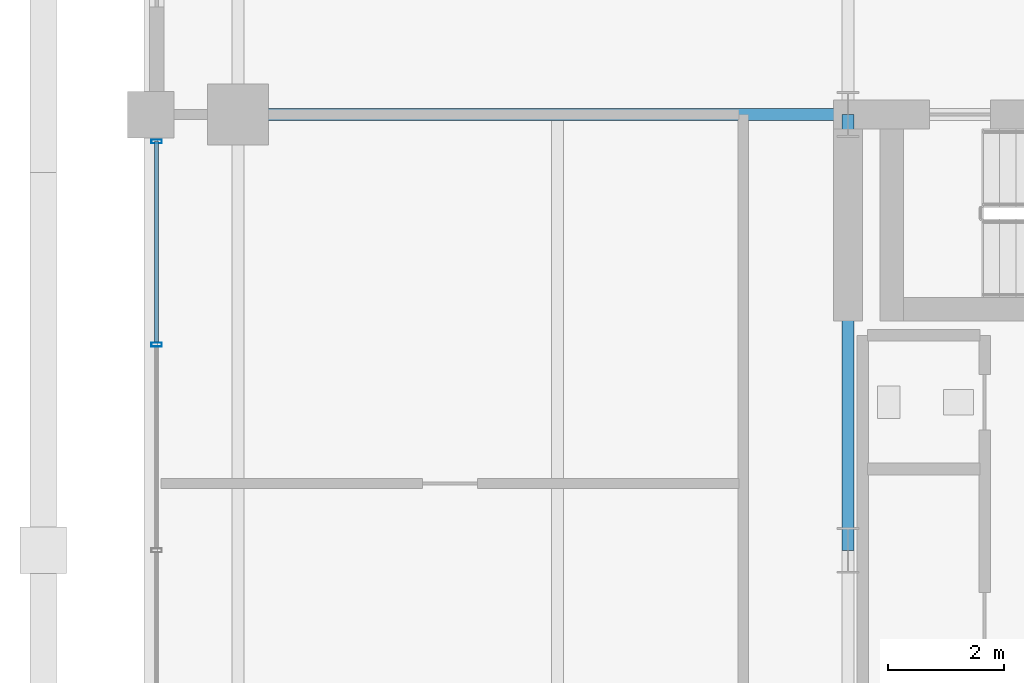
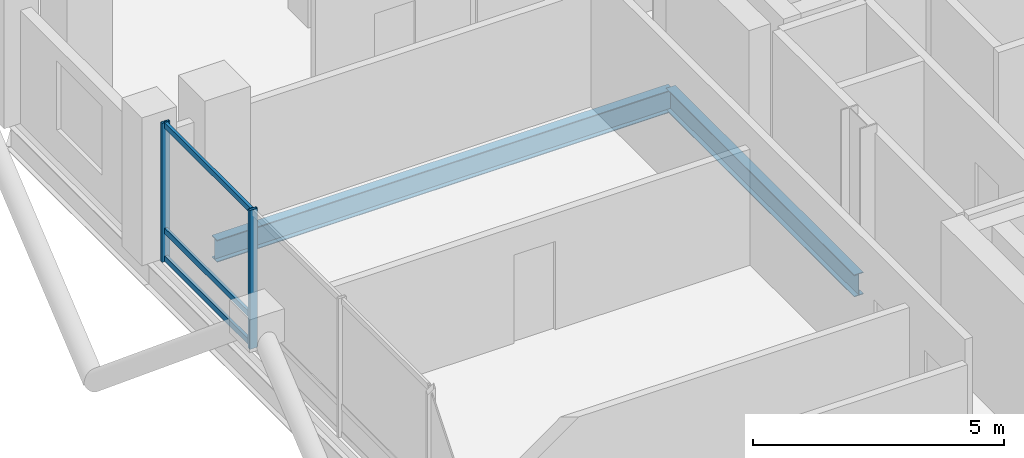
# One storey, part 8 of 23: 5 members, 2 beams, 1 element without a shape of its own.
"""IFC4 building model written with IfcOpenShell, lengths in metres."""

from ifc_helpers import new_model, si_unit, direction, frame, origin, origin_2d, place, context, subcontext, project, spatial, hollow_rectangle, i_section, extrude, material, layer, layer_set, material_profile, profile_set, type_object, element, aggregate, save


model = new_model("IFC4")

# Units and contexts
model_context = context("Model", 3, precision=1e-05, world=origin(), true_north=direction((0.0, 1.0)))
body_context = subcontext(model_context, "Body", "Model", "MODEL_VIEW")
ifc_project = project(units=[si_unit("LENGTHUNIT", "METRE"), si_unit("AREAUNIT", "SQUARE_METRE"), si_unit("VOLUMEUNIT", "CUBIC_METRE"), si_unit("PLANEANGLEUNIT", "RADIAN"), si_unit("MASSUNIT", "GRAM", prefix="KILO")], contexts=[model_context])

# Site, building, storey
site_placement = place(None, origin())
site = spatial("IfcSite", under=ifc_project, at=site_placement, CompositionType="ELEMENT")
building_placement = place(site_placement, origin())
building = spatial("IfcBuilding", under=site, at=building_placement, Name="Barlavira Tower and Art Museum", CompositionType="ELEMENT")
storey_placement = place(building_placement, frame((0.0, 0.0, 205.199951171875)))
storey = spatial("IfcBuildingStorey", under=building, at=storey_placement, Name="L53", CompositionType="ELEMENT", Elevation=205.199951171875)

# Curtain wall, members
ifc_material_1 = material(Name="Low-iron coastal laminated glass", Category="glass")
ifc_layer = layer(ifc_material_1, 0.199951171875, Name="Low-iron coastal laminated glass")
ifc_layer_set = layer_set([ifc_layer], Name="Low-iron coastal laminated glass")
curtain_wall_type = type_object("IfcCurtainWallType", Name="Pale-Metal Unitised Curtain Wall Zone 3", PredefinedType="NOTDEFINED", material=ifc_layer_set)
curtain_wall_placement = place(storey_placement, origin())
curtain_wall = element("IfcCurtainWall", 1, at=curtain_wall_placement, inside=storey, type_object=curtain_wall_type, Name="L53 Curtain Wall CW3-L53-W-B3", PredefinedType="NOTDEFINED")
ifc_material_2 = material(Name="Pale anodised aluminium", Category="aluminium")
ifc_material_profile_1 = material_profile(ifc_material_2, hollow_rectangle(XDim=0.06494140625, YDim=0.179931640625, WallThickness=0.00390625, at=origin_2d()), Name="ALU-MULL 65x180x4")
ifc_profile_set_1 = profile_set([ifc_material_profile_1], Name="Pale anodised aluminium")
member_type_1 = type_object("IfcMemberType", Name="Curtain Wall Pale-Metal Mullion 65x180", PredefinedType="MULLION", material=ifc_profile_set_1)
member_1_placement = place(storey_placement, frame((-18.39990234375, 7.034912109375, 0.0), z_axis=(0.0, 0.0, 1.0), x_axis=(0.0, -1.0, 0.0)))
member_1 = element("IfcMember", 2, at=member_1_placement, type_object=member_type_1, Name="CW3-L53-W-B3 Mullion 0", PredefinedType="MULLION", context=body_context, shape_type="SweptSolid", body=[
    extrude(hollow_rectangle(XDim=0.06494140625, YDim=0.179931640625, WallThickness=0.00390625, at=origin_2d()), origin(), (0.0, 0.0, 1.0), 3.380126953125),
])
member_2_placement = place(storey_placement, frame((-18.39990234375, 3.5400390625, 0.0), z_axis=(0.0, 0.0, 1.0), x_axis=(0.0, -1.0, 0.0)))
member_2 = element("IfcMember", 3, at=member_2_placement, type_object=member_type_1, Name="CW3-L53-W-B3 Mullion 1", PredefinedType="MULLION", context=body_context, shape_type="SweptSolid", body=[
    extrude(hollow_rectangle(XDim=0.06494140625, YDim=0.179931640625, WallThickness=0.00390625, at=origin_2d()), origin(), (0.0, 0.0, 1.0), 3.380126953125),
])
ifc_material_profile_2 = material_profile(ifc_material_2, hollow_rectangle(XDim=0.06494140625, YDim=0.139892578125, WallThickness=0.00390625, at=origin_2d()), Name="ALU-TRAN 65x140x4")
ifc_profile_set_2 = profile_set([ifc_material_profile_2], Name="Pale anodised aluminium")
member_type_2 = type_object("IfcMemberType", Name="Curtain Wall Pale-Metal Transom 65x140", PredefinedType="USERDEFINED", material=ifc_profile_set_2)
member_3_placement = place(storey_placement, frame((-18.39990234375, 7.034912109375, 0.070068359375), z_axis=(0.0, -1.0, 0.0), x_axis=(1.0, 0.0, 0.0)))
member_3 = element("IfcMember", 4, at=member_3_placement, type_object=member_type_2, Name="CW3-L53-W-B3 Transom 0.1", ObjectType="TRANSOM", PredefinedType="USERDEFINED", context=body_context, shape_type="SweptSolid", body=[
    extrude(hollow_rectangle(XDim=0.06494140625, YDim=0.139892578125, WallThickness=0.00390625, at=origin_2d()), origin(), (0.0, 0.0, 1.0), 3.449951171875),
])
member_4_placement = place(storey_placement, frame((-18.39990234375, 7.034912109375, 0.744140625), z_axis=(0.0, -1.0, 0.0), x_axis=(1.0, 0.0, 0.0)))
member_4 = element("IfcMember", 5, at=member_4_placement, type_object=member_type_2, Name="CW3-L53-W-B3 Transom 0.2", ObjectType="TRANSOM", PredefinedType="USERDEFINED", context=body_context, shape_type="SweptSolid", body=[
    extrude(hollow_rectangle(XDim=0.06494140625, YDim=0.139892578125, WallThickness=0.00390625, at=origin_2d()), origin(), (0.0, 0.0, 1.0), 3.449951171875),
])
member_5_placement = place(storey_placement, frame((-18.39990234375, 7.034912109375, 3.31005859375), z_axis=(0.0, -1.0, 0.0), x_axis=(1.0, 0.0, 0.0)))
member_5 = element("IfcMember", 6, at=member_5_placement, type_object=member_type_2, Name="CW3-L53-W-B3 Transom 0.3", ObjectType="TRANSOM", PredefinedType="USERDEFINED", context=body_context, shape_type="SweptSolid", body=[
    extrude(hollow_rectangle(XDim=0.06494140625, YDim=0.139892578125, WallThickness=0.00390625, at=origin_2d()), origin(), (0.0, 0.0, 1.0), 3.449951171875),
])
aggregate(curtain_wall, [member_1, member_2, member_3, member_4, member_5])

# Beams
ifc_material_3 = material(Name="Steel S355", Category="steel")
ifc_material_profile_3 = material_profile(ifc_material_3, i_section(OverallWidth=0.2109375, OverallDepth=0.5390625, WebThickness=0.01171875, FlangeThickness=0.018798828125, at=origin_2d()), Name="W530x109.0")
ifc_profile_set_3 = profile_set([ifc_material_profile_3], Name="Steel S355")
beam_type = type_object("IfcBeamType", Name="Zone 3-4 Primary Floor Girder W530x109 Steel S355", PredefinedType="BEAM", material=ifc_profile_set_3)
beam_1_placement = place(storey_placement, frame((-6.5, 0.0, -0.489501953125), z_axis=(0.0, 1.0, 0.0), x_axis=(-1.0, 0.0, 0.0)))
element("IfcBeam", 7, at=beam_1_placement, inside=storey, type_object=beam_type, Name="L53 Girder C-W2", PredefinedType="BEAM", context=body_context, shape_type="SweptSolid", body=[
    extrude(i_section(OverallWidth=0.2109375, OverallDepth=0.5390625, WebThickness=0.01171875, FlangeThickness=0.018798828125, at=origin_2d()), origin(), (0.0, 0.0, 1.0), 7.5),
])
beam_2_placement = place(storey_placement, frame((-17.0, 7.5, -0.489501953125), z_axis=(1.0, 0.0, 0.0), x_axis=(0.0, 1.0, 0.0)))
element("IfcBeam", 8, at=beam_2_placement, inside=storey, type_object=beam_type, Name="L53 Girder R-W2", PredefinedType="BEAM", context=body_context, shape_type="SweptSolid", body=[
    extrude(i_section(OverallWidth=0.2109375, OverallDepth=0.5390625, WebThickness=0.01171875, FlangeThickness=0.018798828125, at=origin_2d()), origin(), (0.0, 0.0, 1.0), 10.5),
])

save(model, "model.ifc")
